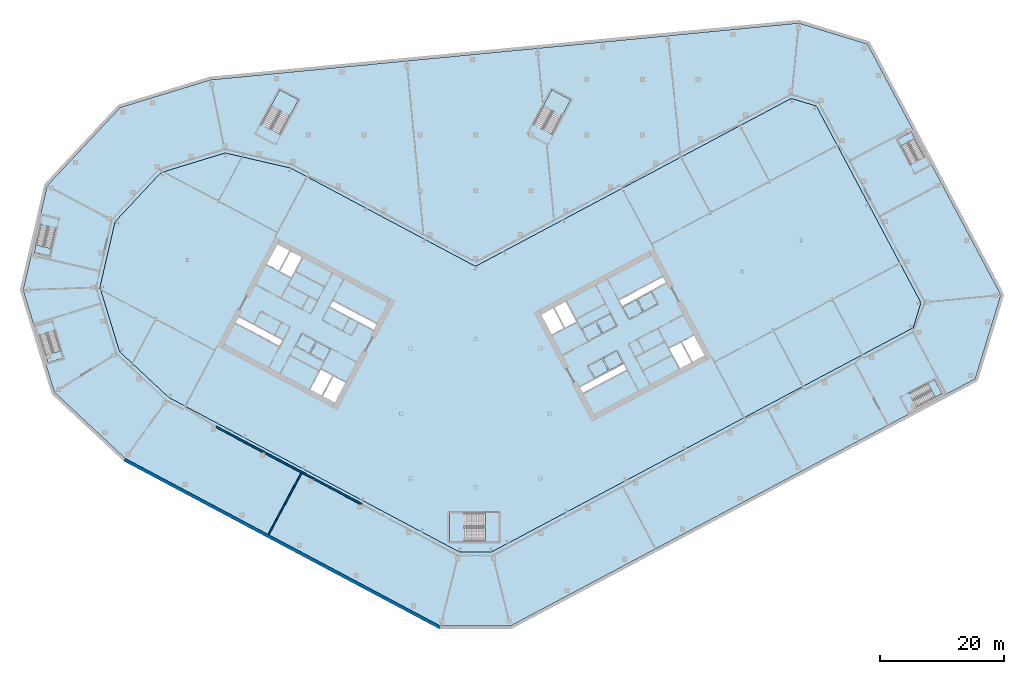
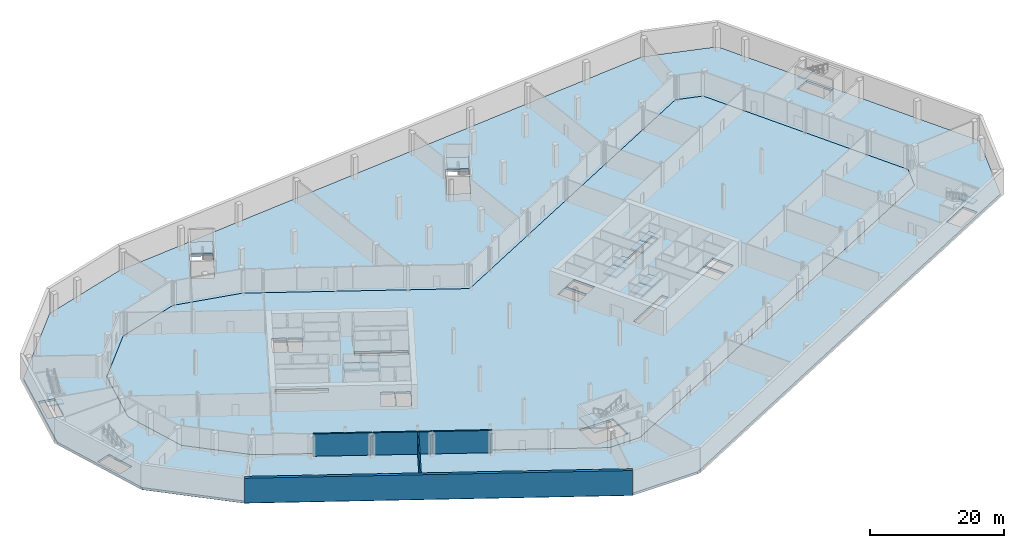
# One storey, part 7 of 27: 17 slabs, 6 walls, 7 elements without a shape of their own.
"""IFC4 building model written with IfcOpenShell, lengths in metres."""

import ifcopenshell
import ifcopenshell.guid

model = None  # the IFC model being written
_history = None  # IfcOwnerHistory: only IFC2X3 demands one
_inside = {}  # id of a spatial element -> (the spatial element, [elements in it])
_under = {}  # id of a project, library or spatial element -> (it, [spatial elements below it])
_declared = {}  # id of a project -> (the project, [libraries it declares])
_typed = {}  # id of a type object -> (the type object, [elements of that type])
_made_of = {}  # id of a material, layer set ... -> (it, [elements and type objects made of it])


def new_model(schema):
    """Start an empty IFC model of exactly this schema.

    Asked for "IFC4X3", IfcOpenShell would pick the latest addendum, in which some entities
    have other attributes; the version numbers below select the first issue.
    IFC2X3 requires an IfcOwnerHistory on every rooted entity: one is made here for all.
    """
    global model, _history
    if schema == "IFC4X3":
        model = ifcopenshell.file(schema_version=(4, 3, 0, 0))
    else:
        model = ifcopenshell.file(schema=schema)
    _inside.clear()
    _under.clear()
    _declared.clear()
    _typed.clear()
    _made_of.clear()
    _history = None
    if model.schema == "IFC2X3":
        org = make("IfcOrganization", Name="unknown")
        user = make(
            "IfcPersonAndOrganization",
            ThePerson=make("IfcPerson", FamilyName="unknown"),
            TheOrganization=org,
        )
        app = make(
            "IfcApplication",
            ApplicationDeveloper=org,
            Version="unknown",
            ApplicationFullName="unknown",
            ApplicationIdentifier="unknown",
        )
        _history = make(
            "IfcOwnerHistory",
            OwningUser=user,
            OwningApplication=app,
            ChangeAction="ADDED",
            CreationDate=0,
        )
    return model


def make(cls, **values):
    """One entity of the class cls with the attributes given. An attribute that is None is left unset."""
    return model.create_entity(
        cls, **{name: value for name, value in values.items() if value is not None}
    )


def rooted(cls, **values):
    """An entity with a GlobalId (a new one), such as an element, a storey or a relation."""
    return make(cls, GlobalId=ifcopenshell.guid.new(), OwnerHistory=_history, **values)


def si_unit(unit_type, name, prefix=None):
    """IfcSIUnit, for example si_unit("LENGTHUNIT", "METRE", prefix="MILLI")."""
    return make("IfcSIUnit", UnitType=unit_type, Prefix=prefix, Name=name)


def assignment(units):
    """IfcUnitAssignment: the units of a project."""
    return None if units is None else make("IfcUnitAssignment", Units=units)


def point(xyz):
    """IfcCartesianPoint."""
    return None if xyz is None else make("IfcCartesianPoint", Coordinates=xyz)


def direction(xyz):
    """IfcDirection."""
    return None if xyz is None else make("IfcDirection", DirectionRatios=xyz)


def frame(location, z_axis=None, x_axis=None):
    """IfcAxis2Placement3D, a coordinate frame: its origin and axes. An axis left out is left unset."""
    return make(
        "IfcAxis2Placement3D",
        Location=point(location),
        Axis=direction(z_axis),
        RefDirection=direction(x_axis),
    )


def frame_2d(location, x_axis=None):
    """IfcAxis2Placement2D, a coordinate frame in the plane: its origin and x axis."""
    return make(
        "IfcAxis2Placement2D", Location=point(location), RefDirection=direction(x_axis)
    )


def origin():
    """The frame at (0, 0, 0) with its axes left unset."""
    return frame((0.0, 0.0, 0.0))


def place(relative_to, where):
    """IfcLocalPlacement: puts the frame where relative to a parent placement (None: the world)."""
    return make(
        "IfcLocalPlacement", PlacementRelTo=relative_to, RelativePlacement=where
    )


def context(
    kind, dimensions, precision=None, world=None, true_north=None, identifier=None
):
    """IfcGeometricRepresentationContext, for example the 3D "Model" context."""
    return make(
        "IfcGeometricRepresentationContext",
        ContextIdentifier=identifier,
        ContextType=kind,
        CoordinateSpaceDimension=dimensions,
        Precision=precision,
        WorldCoordinateSystem=world,
        TrueNorth=true_north,
    )


def subcontext(parent, identifier, kind, view, scale=None):
    """IfcGeometricRepresentationSubContext, for example "Body" below "Model"."""
    return make(
        "IfcGeometricRepresentationSubContext",
        ContextIdentifier=identifier,
        ContextType=kind,
        ParentContext=parent,
        TargetScale=scale,
        TargetView=view,
    )


def project(units=None, contexts=None):
    """IfcProject with its units and contexts."""
    return rooted(
        "IfcProject",
        Name="project",
        RepresentationContexts=contexts,
        UnitsInContext=assignment(units),
    )


def spatial(cls, under=None, at=None, **own):
    """A site, building, storey or space (cls), placed at a placement, below another one or the project."""
    s = rooted(cls, ObjectPlacement=at, **own)
    if under is not None:
        _under.setdefault(under.id(), (under, []))[1].append(s)
    return s


def polyline(points):
    """IfcPolyline through the points."""
    return make("IfcPolyline", Points=[point(p) for p in points])


def profile(cls, at=None, kind="AREA", **sizes):
    """A parametric profile (cls). Its sizes go by their IFC names, for example OverallWidth=200.0."""
    return make(cls, ProfileType=kind, Position=at, **sizes)


def rectangle(**sizes):
    """IfcRectangleProfileDef."""
    return profile("IfcRectangleProfileDef", **sizes)


def outline(outer, holes=None, kind="AREA"):
    """IfcArbitraryClosedProfileDef: a profile drawn as a closed curve; with holes, ...WithVoids."""
    if holes is None:
        return make("IfcArbitraryClosedProfileDef", ProfileType=kind, OuterCurve=outer)
    return make(
        "IfcArbitraryProfileDefWithVoids",
        ProfileType=kind,
        OuterCurve=outer,
        InnerCurves=holes,
    )


def extrude(swept, where, along, depth):
    """IfcExtrudedAreaSolid: the profile swept, set in the frame where, extruded along a direction by depth."""
    return make(
        "IfcExtrudedAreaSolid",
        SweptArea=swept,
        Position=where,
        ExtrudedDirection=direction(along),
        Depth=depth,
    )


def shape(context_of_items, identifier, shape_type, items):
    """IfcShapeRepresentation: the items that make up one representation, for example the "Body"."""
    return make(
        "IfcShapeRepresentation",
        ContextOfItems=context_of_items,
        RepresentationIdentifier=identifier,
        RepresentationType=shape_type,
        Items=items,
    )


def material(Name=None, Category=None):
    """IfcMaterial."""
    return make("IfcMaterial", Name=Name, Category=Category)


def layer(
    of_material, thickness, ventilated=None, Name=None, Category=None, Priority=None
):
    """IfcMaterialLayer: one layer of a wall or slab, of a material (None: an air gap)."""
    return make(
        "IfcMaterialLayer",
        Material=of_material,
        LayerThickness=thickness,
        IsVentilated=ventilated,
        Name=Name,
        Category=Category,
        Priority=Priority,
    )


def layer_set(layers, Name=None):
    """IfcMaterialLayerSet."""
    return make("IfcMaterialLayerSet", MaterialLayers=layers, LayerSetName=Name)


def made_of(thing, what):
    """Note that an element or type object is made of a material, layer set ...; save() writes the relation."""
    if what is not None:
        _made_of.setdefault(what.id(), (what, []))[1].append(thing)
    return thing


def type_object(cls, material=None, **own):
    """A type object (cls), such as IfcWallType, which elements share."""
    return made_of(rooted(cls, **own), material)


def element(
    cls,
    number,
    at=None,
    inside=None,
    cuts=None,
    type_object=None,
    material=None,
    context=None,
    identifier="Body",
    shape_type=None,
    held_by="IfcProductDefinitionShape",
    body=None,
    shapes=None,
    **own,
):
    """One element of the class cls, such as IfcWall. Its Tag is "e" and its number.

    at: its placement. inside: the storey or other place that contains it. cuts: it is an
    opening in that element (IfcRelVoidsElement). A single representation is given by context,
    identifier, shape_type and body (its items); several are given by shapes. held_by: the class
    of the entity that holds the representations. save() writes the other relations.
    """
    e = rooted(cls, Tag="e%d" % number, ObjectPlacement=at, **own)
    if body is not None:
        shapes = [shape(context, identifier, shape_type, body)]
    if shapes is not None:
        e.Representation = make(held_by, Representations=shapes)
    if inside is not None:
        _inside.setdefault(inside.id(), (inside, []))[1].append(e)
    if cuts is not None:
        rooted(
            "IfcRelVoidsElement", RelatingBuildingElement=cuts, RelatedOpeningElement=e
        )
    if type_object is not None:
        _typed.setdefault(type_object.id(), (type_object, []))[1].append(e)
    return made_of(e, material)


def aggregate(whole, parts):
    """IfcRelAggregates: a whole, such as a stair, and the parts it consists of."""
    return rooted("IfcRelAggregates", RelatingObject=whole, RelatedObjects=parts)


def save(model, path):
    """Write the relations noted so far, then the file.

    IfcRelAggregates (storeys below a building ...), IfcRelContainedInSpatialStructure (elements
    in a storey), IfcRelDefinesByType, IfcRelAssociatesMaterial and IfcRelDeclares: one each for
    every whole, place, type object, material and project.
    """
    for whole, parts in _under.values():
        aggregate(whole, parts)
    for where, things in _inside.values():
        rooted(
            "IfcRelContainedInSpatialStructure",
            RelatedElements=things,
            RelatingStructure=where,
        )
    for kind, things in _typed.values():
        rooted("IfcRelDefinesByType", RelatedObjects=things, RelatingType=kind)
    for what, things in _made_of.values():
        rooted("IfcRelAssociatesMaterial", RelatedObjects=things, RelatingMaterial=what)
    for by, libraries in _declared.values():
        rooted("IfcRelDeclares", RelatingContext=by, RelatedDefinitions=libraries)
    model.write(path)


model = new_model("IFC4")

# Units and contexts
model_context = context("Model", 3, precision=1e-05, world=origin(), true_north=direction((0.0, 1.0)))
body_context = subcontext(model_context, "Body", "Model", "MODEL_VIEW")
ifc_project = project(units=[si_unit("LENGTHUNIT", "METRE"), si_unit("AREAUNIT", "SQUARE_METRE"), si_unit("VOLUMEUNIT", "CUBIC_METRE"), si_unit("PLANEANGLEUNIT", "RADIAN"), si_unit("MASSUNIT", "GRAM", prefix="KILO")], contexts=[model_context])

# Site, building, storey
site_placement = place(None, origin())
site = spatial("IfcSite", under=ifc_project, at=site_placement, CompositionType="ELEMENT")
building_placement = place(site_placement, origin())
building = spatial("IfcBuilding", under=site, at=building_placement, Name="Cormorant Relay Tower", CompositionType="ELEMENT")
storey_placement = place(building_placement, frame((0.0, 0.0, -4.5)))
storey = spatial("IfcBuildingStorey", under=building, at=storey_placement, Name="B1", CompositionType="ELEMENT", Elevation=-4.5)

# Slab
ifc_material_1 = material(Name="Concrete 40 MPa", Category="concrete")
ifc_layer_1 = layer(ifc_material_1, 0.39990234375)
ifc_layer_set_1 = layer_set([ifc_layer_1], Name="Basement floor slab 400")
slab_type_1 = type_object("IfcSlabType", Name="Basement floor slab 400", PredefinedType="FLOOR", material=ifc_layer_set_1)
slab_1_placement = place(storey_placement, frame((0.0, 0.0, -0.39990234375)))
element("IfcSlab", 1, at=slab_1_placement, inside=storey, type_object=slab_type_1, Name="Floor slab", PredefinedType="FLOOR", context=body_context, shape_type="SweptSolid", body=[
    extrude(outline(polyline([(-5.640869140625, -34.37548828125), (5.640869140625, -34.37548828125), (80.8046875, 5.58984375), (84.95166015625, 19.15380859375), (63.383544921875, 59.71728515625), (52.289794921875, 63.109130859375), (-42.819091796875, 53.942138671875), (-57.4443359375, 49.470703125), (-69.24365234375, 36.8173828125), (-73.135498046875, 19.959716796875), (-68.0771484375, 3.41455078125), (-56.6201171875, -7.269287109375), (-5.640869140625, -34.37548828125)]), holes=[polyline([(2.648681640625, -22.37548828125), (70.7822265625, 13.8515625), (72.022705078125, 17.908935546875), (55.12158203125, 49.695068359375), (51.064453125, 50.935302734375), (0.0, 23.783935546875), (-29.873779296875, 39.668212890625), (-40.465576171875, 42.11328125), (-50.86083984375, 38.935302734375), (-58.2744140625, 30.985107421875), (-60.7197265625, 20.393310546875), (-57.541748046875, 9.997802734375), (-49.591552734375, 2.584228515625), (-2.648681640625, -22.37548828125), (2.648681640625, -22.37548828125)]), polyline([(74.236083984375, 5.438232421875), (70.174560546875, 3.27880859375), (71.37158203125, 1.027099609375), (75.43310546875, 3.186767578125), (74.236083984375, 5.438232421875)]), polyline([(-66.68408203125, 8.94775390625), (-68.029052734375, 13.3466796875), (-70.467529296875, 12.601318359375), (-69.122802734375, 8.2021484375), (-66.68408203125, 8.94775390625)]), polyline([(-68.840087890625, 25.451171875), (-67.805419921875, 29.933349609375), (-70.2900390625, 30.507080078125), (-71.32470703125, 26.02490234375), (-68.840087890625, 25.451171875)]), polyline([(68.226318359375, 44.32568359375), (70.385986328125, 40.264404296875), (72.637451171875, 41.46142578125), (70.477783203125, 45.52294921875), (68.226318359375, 44.32568359375)]), polyline([(-31.645263671875, 52.341552734375), (-34.626220703125, 46.73486328125), (-31.580078125, 45.115234375), (-28.59912109375, 50.721923828125), (-31.645263671875, 52.341552734375)]), polyline([(12.354736328125, 52.341552734375), (9.373779296875, 46.73486328125), (12.419921875, 45.115234375), (15.40087890625, 50.721923828125), (12.354736328125, 52.341552734375)])]), origin(), (0.0, 0.0, 1.0), 0.39990234375),
])

# Stair, slab
ifc_material_2 = material(Name="Concrete 40 MPa", Category="concrete")
stair_type_1 = type_object("IfcStairType", Name="Remote exit stair 2200", PredefinedType="HALF_TURN_STAIR", material=ifc_material_2)
stair_1_placement = place(storey_placement, origin())
stair_1 = element("IfcStair", 2, at=stair_1_placement, inside=storey, type_object=stair_type_1, Name="B1 Stair", PredefinedType="HALF_TURN_STAIR")
ifc_material_3 = material(Name="Concrete 40 MPa", Category="concrete")
ifc_layer_2 = layer(ifc_material_3, 0.199951171875)
ifc_layer_set_2 = layer_set([ifc_layer_2], Name="Exit stair landing 200")
slab_type_2 = type_object("IfcSlabType", Name="Exit stair landing 200", PredefinedType="LANDING", material=ifc_layer_set_2)
slab_2_placement = place(storey_placement, frame((0.0, 0.0, 2.050048828125)))
slab_2 = element("IfcSlab", 3, at=slab_2_placement, type_object=slab_type_2, Name="RK1 landing 1", PredefinedType="LANDING", context=body_context, shape_type="SweptSolid", body=[
    extrude(outline(polyline([(-1.760009765625, -16.125), (-4.199951171875, -16.125), (-4.199951171875, -20.675048828125), (-1.760009765625, -20.675048828125), (-1.760009765625, -16.125)])), origin(), (0.0, 0.0, 1.0), 0.199951171875),
])
aggregate(stair_1, [slab_2])

ifc_material_4 = material(Name="Concrete 40 MPa", Category="concrete")
stair_type_2 = type_object("IfcStairType", Name="Exit stair 1500", PredefinedType="HALF_TURN_STAIR", material=ifc_material_4)
stair_2_placement = place(storey_placement, origin())
stair_2 = element("IfcStair", 4, at=stair_2_placement, inside=storey, type_object=stair_type_2, Name="B1 Stair", PredefinedType="HALF_TURN_STAIR")
slab_3_placement = place(storey_placement, frame((0.0, 0.0, 2.050048828125)))
slab_3 = element("IfcSlab", 5, at=slab_3_placement, type_object=slab_type_2, Name="RN1 landing 1", PredefinedType="LANDING", context=body_context, shape_type="SweptSolid", body=[
    extrude(outline(polyline([(13.997314453125, 48.08203125), (15.40087890625, 50.721923828125), (12.354736328125, 52.341552734375), (10.951171875, 49.70166015625), (13.997314453125, 48.08203125)])), origin(), (0.0, 0.0, 1.0), 0.199951171875),
])
aggregate(stair_2, [slab_3])

stair_3_placement = place(storey_placement, origin())
stair_3 = element("IfcStair", 6, at=stair_3_placement, inside=storey, type_object=stair_type_2, Name="B1 Stair", PredefinedType="HALF_TURN_STAIR")
slab_4_placement = place(storey_placement, frame((0.0, 0.0, 2.050048828125)))
slab_4 = element("IfcSlab", 7, at=slab_4_placement, type_object=slab_type_2, Name="RN2 landing 1", PredefinedType="LANDING", context=body_context, shape_type="SweptSolid", body=[
    extrude(outline(polyline([(-30.002685546875, 48.08203125), (-28.59912109375, 50.721923828125), (-31.645263671875, 52.341552734375), (-33.048828125, 49.70166015625), (-30.002685546875, 48.08203125)])), origin(), (0.0, 0.0, 1.0), 0.199951171875),
])
aggregate(stair_3, [slab_4])

# Slabs
ifc_material_5 = material(Name="Concrete 40 MPa", Category="concrete")
ifc_layer_3 = layer(ifc_material_5, 0.39990234375)
ifc_layer_set_3 = layer_set([ifc_layer_3], Name="Flat plate 400")
slab_type_3 = type_object("IfcSlabType", Name="Flat plate 400", PredefinedType="FLOOR", material=ifc_layer_set_3)
slab_5_placement = place(storey_placement, frame((0.0, 0.0, -0.39990234375)))
element("IfcSlab", 8, at=slab_5_placement, inside=storey, type_object=slab_type_3, Name="Floor slab B1", PredefinedType="FLOOR", context=body_context, shape_type="SweptSolid", body=[
    extrude(outline(polyline([(-57.541748046875, 9.997802734375), (-60.7197265625, 20.393310546875), (-58.2744140625, 30.985107421875), (-50.86083984375, 38.935302734375), (-40.465576171875, 42.11328125), (-29.873779296875, 39.668212890625), (0.0, 23.783935546875), (51.064453125, 50.935302734375), (55.12158203125, 49.695068359375), (72.022705078125, 17.908935546875), (70.7822265625, 13.8515625), (2.648681640625, -22.37548828125), (-2.648681640625, -22.37548828125), (-49.591552734375, 2.584228515625), (-57.541748046875, 9.997802734375)]), holes=[polyline([(-4.199951171875, -20.675048828125), (1.60009765625, -20.675048828125), (1.60009765625, -16.125), (-4.199951171875, -16.125), (-4.199951171875, -20.675048828125)]), polyline([(-22.95458984375, 6.03271484375), (-24.668212890625, 2.81005859375), (-22.725830078125, 1.777099609375), (-21.01220703125, 5.0), (-23.04296875, 6.07958984375), (-22.95458984375, 6.03271484375)]), polyline([(-24.985595703125, 7.112548828125), (-26.69921875, 3.889892578125), (-24.844970703125, 2.90380859375), (-23.13134765625, 6.126708984375), (-23.04296875, 6.07958984375), (-24.985595703125, 7.112548828125)]), polyline([(-38.75390625, 14.659912109375), (-31.690185546875, 10.904052734375), (-31.197265625, 11.8310546875), (-38.260986328125, 15.5869140625), (-38.75390625, 14.659912109375)]), polyline([(-15.989013671875, 14.447509765625), (-23.052490234375, 18.203125), (-23.54541015625, 17.276123046875), (-16.481689453125, 13.520263671875), (-15.989013671875, 14.447509765625)]), polyline([(-29.75732421875, 21.99462890625), (-28.043701171875, 25.217529296875), (-29.89794921875, 26.203369140625), (-31.611572265625, 22.980712890625), (-29.75732421875, 21.99462890625)]), polyline([(-33.73046875, 24.107421875), (-31.7880859375, 23.074462890625), (-30.074462890625, 26.29736328125), (-32.01708984375, 27.330078125), (-33.73046875, 24.107421875)]), polyline([(17.386474609375, 3.298583984375), (24.4501953125, 7.054443359375), (23.957275390625, 7.9814453125), (16.8935546875, 4.2255859375), (17.386474609375, 3.298583984375)]), polyline([(31.3427734375, 10.49267578125), (33.056396484375, 7.27001953125), (34.910400390625, 8.255859375), (33.197021484375, 11.478515625), (31.3427734375, 10.49267578125)]), polyline([(35.087158203125, 8.349609375), (37.029541015625, 9.382568359375), (35.31591796875, 12.605224609375), (33.37353515625, 11.572509765625), (35.087158203125, 8.349609375)]), polyline([(14.3056640625, 13.779052734375), (12.592041015625, 17.001708984375), (10.649658203125, 15.968994140625), (12.36328125, 12.74609375), (14.39404296875, 13.825927734375), (14.3056640625, 13.779052734375)]), polyline([(16.33642578125, 14.85888671875), (14.622802734375, 18.08154296875), (12.768798828125, 17.095703125), (14.482421875, 13.872802734375), (14.39404296875, 13.825927734375), (16.33642578125, 14.85888671875)]), polyline([(30.29248046875, 22.052978515625), (23.22900390625, 18.297119140625), (23.721923828125, 17.3701171875), (30.78564453125, 21.125732421875), (30.29248046875, 22.052978515625)])]), origin(), (0.0, 0.0, 1.0), 0.39990234375),
])
ifc_material_6 = material(Name="Concrete 50 MPa", Category="concrete")
ifc_layer_4 = layer(ifc_material_6, 0.300048828125)
ifc_layer_set_4 = layer_set([ifc_layer_4], Name="Lift pit slab 300")
slab_type_4 = type_object("IfcSlabType", Name="Lift pit slab 300", PredefinedType="BASESLAB", material=ifc_layer_set_4)
slab_6_placement = place(storey_placement, frame((0.0, 0.0, 2.699951171875)))
element("IfcSlab", 9, at=slab_6_placement, inside=storey, type_object=slab_type_4, Name="Lift SH1 pit slab", PredefinedType="BASESLAB", context=body_context, shape_type="SweptSolid", body=[
    extrude(outline(polyline([(-25.656005859375, 11.602783203125), (-23.448486328125, 10.42919921875), (-24.481201171875, 8.48681640625), (-26.688720703125, 9.660400390625), (-25.656005859375, 11.602783203125)])), origin(), (0.0, 0.0, 1.0), 0.300048828125),
])
slab_7_placement = place(storey_placement, frame((0.0, 0.0, 2.699951171875)))
element("IfcSlab", 10, at=slab_7_placement, inside=storey, type_object=slab_type_4, Name="Lift SH2 pit slab", PredefinedType="BASESLAB", context=body_context, shape_type="SweptSolid", body=[
    extrude(outline(polyline([(-28.039794921875, 12.870361328125), (-25.83251953125, 11.69677734375), (-26.865234375, 9.75439453125), (-29.07275390625, 10.927978515625), (-28.039794921875, 12.870361328125)])), origin(), (0.0, 0.0, 1.0), 0.300048828125),
])
slab_8_placement = place(storey_placement, frame((0.0, 0.0, 2.699951171875)))
element("IfcSlab", 11, at=slab_8_placement, inside=storey, type_object=slab_type_4, Name="Lift LR1 pit slab", PredefinedType="BASESLAB", context=body_context, shape_type="SweptSolid", body=[
    extrude(outline(polyline([(20.43408203125, 12.903564453125), (18.2265625, 11.72998046875), (17.19384765625, 13.67236328125), (19.401123046875, 14.84619140625), (20.43408203125, 12.903564453125)])), origin(), (0.0, 0.0, 1.0), 0.300048828125),
])
slab_9_placement = place(storey_placement, frame((0.0, 0.0, 2.699951171875)))
element("IfcSlab", 12, at=slab_9_placement, inside=storey, type_object=slab_type_4, Name="Lift LR2 pit slab", PredefinedType="BASESLAB", context=body_context, shape_type="SweptSolid", body=[
    extrude(outline(polyline([(22.81787109375, 14.171142578125), (20.610595703125, 12.99755859375), (19.57763671875, 14.93994140625), (21.78515625, 16.113525390625), (22.81787109375, 14.171142578125)])), origin(), (0.0, 0.0, 1.0), 0.300048828125),
])
slab_10_placement = place(storey_placement, frame((0.0, 0.0, 2.699951171875)))
element("IfcSlab", 13, at=slab_10_placement, inside=storey, type_object=slab_type_4, Name="Lift LR3 pit slab", PredefinedType="BASESLAB", context=body_context, shape_type="SweptSolid", body=[
    extrude(outline(polyline([(26.023193359375, 18.3671875), (27.05615234375, 16.424560546875), (24.8486328125, 15.2509765625), (23.81591796875, 17.193359375), (26.023193359375, 18.3671875)])), origin(), (0.0, 0.0, 1.0), 0.300048828125),
])
slab_11_placement = place(storey_placement, frame((0.0, 0.0, 2.699951171875)))
element("IfcSlab", 14, at=slab_11_placement, inside=storey, type_object=slab_type_4, Name="Lift LR4 pit slab", PredefinedType="BASESLAB", context=body_context, shape_type="SweptSolid", body=[
    extrude(outline(polyline([(29.440185546875, 17.692138671875), (27.232666015625, 16.5185546875), (26.19970703125, 18.4609375), (28.4072265625, 19.634765625), (29.440185546875, 17.692138671875)])), origin(), (0.0, 0.0, 1.0), 0.300048828125),
])
slab_12_placement = place(storey_placement, frame((0.0, 0.0, 2.699951171875)))
element("IfcSlab", 15, at=slab_12_placement, inside=storey, type_object=slab_type_4, Name="Lift LR5 pit slab", PredefinedType="BASESLAB", context=body_context, shape_type="SweptSolid", body=[
    extrude(outline(polyline([(20.446533203125, 8.8330078125), (21.479248046875, 6.890380859375), (19.27197265625, 5.716796875), (18.239013671875, 7.6591796875), (20.446533203125, 8.8330078125)])), origin(), (0.0, 0.0, 1.0), 0.300048828125),
])
slab_13_placement = place(storey_placement, frame((0.0, 0.0, 2.699951171875)))
element("IfcSlab", 16, at=slab_13_placement, inside=storey, type_object=slab_type_4, Name="Lift LR6 pit slab", PredefinedType="BASESLAB", context=body_context, shape_type="SweptSolid", body=[
    extrude(outline(polyline([(22.830322265625, 10.1005859375), (23.86328125, 8.158203125), (21.656005859375, 6.984375), (20.623046875, 8.927001953125), (22.830322265625, 10.1005859375)])), origin(), (0.0, 0.0, 1.0), 0.300048828125),
])

# Stair, slab
ifc_material_7 = material(Name="Concrete 40 MPa", Category="concrete")
stair_type_3 = type_object("IfcStairType", Name="Exit stair 1200", PredefinedType="HALF_TURN_STAIR", material=ifc_material_7)
stair_4_placement = place(storey_placement, origin())
stair_4 = element("IfcStair", 17, at=stair_4_placement, inside=storey, type_object=stair_type_3, Name="B1 Exit stair", PredefinedType="HALF_TURN_STAIR")
ifc_material_8 = material(Name="Concrete 40 MPa", Category="concrete")
ifc_layer_5 = layer(ifc_material_8, 0.199951171875)
ifc_layer_set_5 = layer_set([ifc_layer_5], Name="Podium stair landing 200")
slab_type_5 = type_object("IfcSlabType", Name="Podium stair landing 200", PredefinedType="LANDING", material=ifc_layer_set_5)
slab_14_placement = place(storey_placement, frame((0.0, 0.0, 2.050048828125)))
slab_14 = element("IfcSlab", 18, at=slab_14_placement, type_object=slab_type_5, Name="X1 landing 1", PredefinedType="LANDING", context=body_context, shape_type="SweptSolid", body=[
    extrude(outline(polyline([(74.33837890625, 2.604736328125), (75.43310546875, 3.186767578125), (74.236083984375, 5.438232421875), (73.14111328125, 4.856201171875), (74.33837890625, 2.604736328125)])), origin(), (0.0, 0.0, 1.0), 0.199951171875),
])
aggregate(stair_4, [slab_14])

stair_5_placement = place(storey_placement, origin())
stair_5 = element("IfcStair", 19, at=stair_5_placement, inside=storey, type_object=stair_type_3, Name="B1 Exit stair", PredefinedType="HALF_TURN_STAIR")
slab_15_placement = place(storey_placement, frame((0.0, 0.0, 2.050048828125)))
slab_15 = element("IfcSlab", 20, at=slab_15_placement, type_object=slab_type_5, Name="X2 landing 1", PredefinedType="LANDING", context=body_context, shape_type="SweptSolid", body=[
    extrude(outline(polyline([(71.06005859375, 44.42822265625), (70.477783203125, 45.52294921875), (68.226318359375, 44.325927734375), (68.80859375, 43.23095703125), (71.06005859375, 44.42822265625)])), origin(), (0.0, 0.0, 1.0), 0.199951171875),
])
aggregate(stair_5, [slab_15])

stair_6_placement = place(storey_placement, origin())
stair_6 = element("IfcStair", 21, at=stair_6_placement, inside=storey, type_object=stair_type_3, Name="B1 Exit stair", PredefinedType="HALF_TURN_STAIR")
slab_16_placement = place(storey_placement, frame((0.0, 0.0, 2.050048828125)))
slab_16 = element("IfcSlab", 22, at=slab_16_placement, type_object=slab_type_5, Name="X3 landing 1", PredefinedType="LANDING", context=body_context, shape_type="SweptSolid", body=[
    extrude(outline(polyline([(-71.0458984375, 27.233154296875), (-71.324951171875, 26.02490234375), (-68.840087890625, 25.451171875), (-68.561279296875, 26.659423828125), (-71.0458984375, 27.233154296875)])), origin(), (0.0, 0.0, 1.0), 0.199951171875),
])
aggregate(stair_6, [slab_16])

stair_7_placement = place(storey_placement, origin())
stair_7 = element("IfcStair", 23, at=stair_7_placement, inside=storey, type_object=stair_type_3, Name="B1 Exit stair", PredefinedType="HALF_TURN_STAIR")
slab_17_placement = place(storey_placement, frame((0.0, 0.0, 2.050048828125)))
slab_17 = element("IfcSlab", 24, at=slab_17_placement, type_object=slab_type_5, Name="X4 landing 1", PredefinedType="LANDING", context=body_context, shape_type="SweptSolid", body=[
    extrude(outline(polyline([(-69.485107421875, 9.387939453125), (-69.12255859375, 8.2021484375), (-66.68408203125, 8.94775390625), (-67.046630859375, 10.133544921875), (-69.485107421875, 9.387939453125)])), origin(), (0.0, 0.0, 1.0), 0.199951171875),
])
aggregate(stair_7, [slab_17])

# Walls
ifc_material_9 = material(Name="Concrete masonry 20 MPa", Category="masonry")
ifc_layer_6 = layer(ifc_material_9, 0.25)
ifc_layer_set_6 = layer_set([ifc_layer_6], Name="Fire separation wall 250")
wall_type_1 = type_object("IfcWallType", Name="Fire separation wall 250", PredefinedType="SOLIDWALL", material=ifc_layer_set_6)
wall_1_placement = place(storey_placement, frame((-28.092041015625, -9.526611328125, 0.0), z_axis=(0.0, 0.0, 1.0), x_axis=(-0.882951650701, 0.469463931016, 0.0)))
element("IfcWall", 25, at=wall_1_placement, inside=storey, type_object=wall_type_1, Name="Partition", PredefinedType="SOLIDWALL", context=body_context, shape_type="SweptSolid", body=[
    extrude(rectangle(XDim=6.7646484375, YDim=0.25, at=frame_2d((3.38232421875, 0.0))), origin(), (0.0, 0.0, 1.0), 4.050048828125),
])
wall_2_placement = place(storey_placement, frame((-34.153076171875, -6.303955078125, 0.0), z_axis=(0.0, 0.0, 1.0), x_axis=(-0.882943838539, 0.469478623567, 0.0)))
element("IfcWall", 26, at=wall_2_placement, inside=storey, type_object=wall_type_1, Name="Partition", PredefinedType="SOLIDWALL", context=body_context, shape_type="SweptSolid", body=[
    extrude(rectangle(XDim=8.83056640625, YDim=0.25, at=frame_2d((4.415283203125, 0.0))), origin(), (0.0, 0.0, 1.0), 4.050048828125),
])
wall_3_placement = place(storey_placement, frame((-18.3798828125, -14.68994140625, 0.0), z_axis=(0.0, 0.0, 1.0), x_axis=(-0.882975751466, 0.469418600317, 0.0)))
element("IfcWall", 27, at=wall_3_placement, inside=storey, type_object=wall_type_1, Name="Partition", PredefinedType="SOLIDWALL", context=body_context, shape_type="SweptSolid", body=[
    extrude(rectangle(XDim=8.832763671875, YDim=0.25, at=frame_2d((4.41650390625, 0.0))), origin(), (0.0, 0.0, 1.0), 4.050048828125),
])
wall_4_placement = place(storey_placement, frame((-26.266845703125, -10.4970703125, 0.0), z_axis=(0.0, 0.0, 1.0), x_axis=(-0.882964142915, 0.469440435335, 0.0)))
element("IfcWall", 28, at=wall_4_placement, inside=storey, type_object=wall_type_1, Name="Partition", PredefinedType="SOLIDWALL", context=body_context, shape_type="SweptSolid", body=[
    extrude(rectangle(XDim=2.065185546875, YDim=0.25, at=frame_2d((1.03271484375, 0.0))), origin(), (0.0, 0.0, 1.0), 4.050048828125),
])
ifc_material_10 = material(Name="Concrete masonry 20 MPa", Category="masonry")
ifc_layer_7 = layer(ifc_material_10, 0.199951171875)
ifc_layer_set_7 = layer_set([ifc_layer_7], Name="Plant room wall 200")
wall_type_2 = type_object("IfcWallType", Name="Plant room wall 200", PredefinedType="PARTITIONING", material=ifc_layer_set_7)
wall_5_placement = place(storey_placement, frame((-33.447509765625, -19.59033203125, 0.0), z_axis=(0.0, 0.0, 1.0), x_axis=(0.469466279335, 0.882950402099, 0.0)))
element("IfcWall", 29, at=wall_5_placement, inside=storey, type_object=wall_type_2, Name="Partition", PredefinedType="PARTITIONING", context=body_context, shape_type="SweptSolid", body=[
    extrude(rectangle(XDim=11.399658203125, YDim=0.199951171875, at=frame_2d((5.69970703125, 0.0))), origin(), (0.0, 0.0, 1.0), 4.050048828125),
])
ifc_material_11 = material(Name="Concrete 40 MPa", Category="concrete")
ifc_layer_8 = layer(ifc_material_11, 0.5)
ifc_layer_set_8 = layer_set([ifc_layer_8], Name="Retaining wall 500")
wall_type_3 = type_object("IfcWallType", Name="Retaining wall 500", PredefinedType="SOLIDWALL", material=ifc_layer_set_8)
wall_6_placement = place(storey_placement, frame((-56.7666015625, -7.474609375, 0.0), z_axis=(0.0, 0.0, 1.0), x_axis=(0.882947974138, -0.469470845703, 0.0)))
element("IfcWall", 30, at=wall_6_placement, inside=storey, type_object=wall_type_3, Name="Retaining wall", PredefinedType="SOLIDWALL", context=body_context, shape_type="SweptSolid", body=[
    extrude(rectangle(XDim=57.8330078125, YDim=0.5, at=frame_2d((28.91650390625, 0.0))), origin(), (0.0, 0.0, 1.0), 4.5),
])

save(model, "model.ifc")
